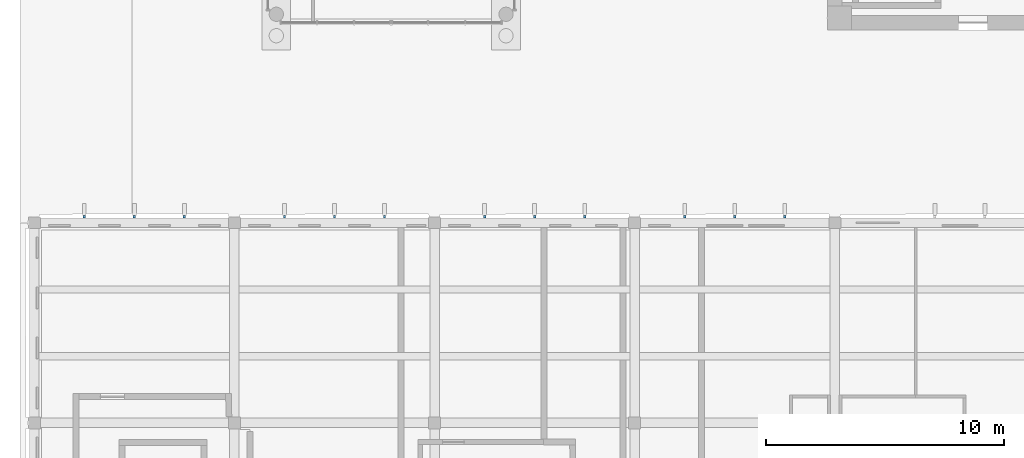
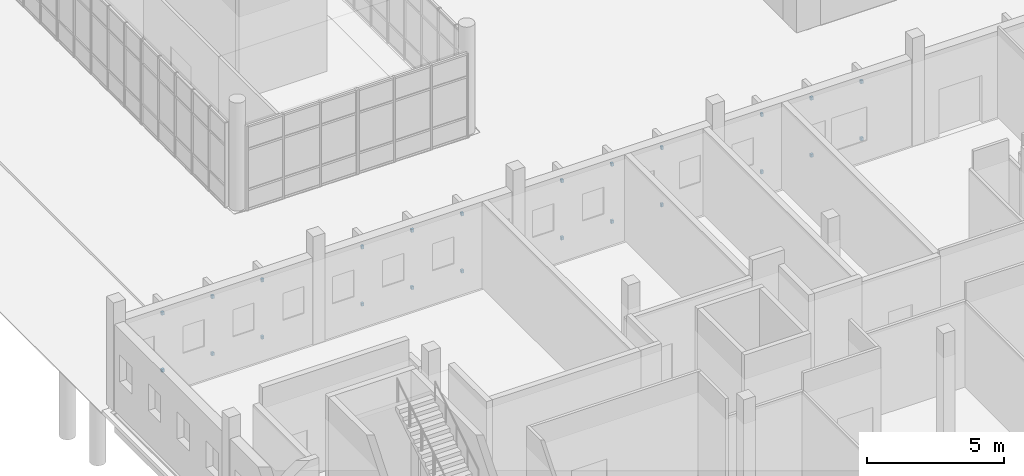
# One storey, part 72 of 110: 24 discrete accessories.
"""IFC4 building model written with IfcOpenShell, lengths in metres."""

from ifc_helpers import new_model, si_unit, direction, frame, origin, origin_2d, place, context, subcontext, project, spatial, rectangle, extrude, material, layer, layer_set, type_object, element, save


model = new_model("IFC4")

# Units and contexts
model_context = context("Model", 3, precision=1e-05, world=origin(), true_north=direction((0.0, 1.0)))
body_context = subcontext(model_context, "Body", "Model", "MODEL_VIEW")
ifc_project = project(units=[si_unit("LENGTHUNIT", "METRE"), si_unit("AREAUNIT", "SQUARE_METRE"), si_unit("VOLUMEUNIT", "CUBIC_METRE"), si_unit("PLANEANGLEUNIT", "RADIAN"), si_unit("MASSUNIT", "GRAM", prefix="KILO")], contexts=[model_context])

# Site, building, storey
site_placement = place(None, origin())
site = spatial("IfcSite", under=ifc_project, at=site_placement, CompositionType="ELEMENT")
building_placement = place(site_placement, origin())
building = spatial("IfcBuilding", under=site, at=building_placement, Name="Larchfold Concert Hall", CompositionType="ELEMENT")
storey_placement = place(building_placement, origin())
storey = spatial("IfcBuildingStorey", under=building, at=storey_placement, Name="L00", CompositionType="ELEMENT", Elevation=0.0)

# Discrete accessories
ifc_material = material(Name="Steel S355 galvanised bracket", Category="steel")
ifc_layer = layer(ifc_material, 0.10009765625)
ifc_layer_set = layer_set([ifc_layer], Name="Steel S355 galvanised bracket")
discrete_accessory_type = type_object("IfcDiscreteAccessoryType", Name="Fin support bracket", PredefinedType="BRACKET", material=ifc_layer_set)
for number, where, z_axis, x_axis, name in (
    (1, (27.89990234375, 26.050048828125, 0.6298828125), (0.0, 0.0, 1.0), (0.0, 1.0, 0.0), "Fin bracket FN-L00-009-1"),
    (2, (27.89990234375, 26.050048828125, 3.169921875), (0.0, 0.0, 1.0), (0.0, 1.0, 0.0), "Fin bracket FN-L00-009-2"),
    (3, (30.0, 26.050048828125, 0.6298828125), (0.0, 0.0, 1.0), (0.0, 1.0, 0.0), "Fin bracket FN-L00-010-1"),
    (4, (30.0, 26.050048828125, 3.169921875), (0.0, 0.0, 1.0), (0.0, 1.0, 0.0), "Fin bracket FN-L00-010-2"),
    (5, (32.10009765625, 26.050048828125, 0.6298828125), (0.0, 0.0, 1.0), (0.0, 1.0, 0.0), "Fin bracket FN-L00-011-1"),
    (6, (32.10009765625, 26.050048828125, 3.169921875), (0.0, 0.0, 1.0), (0.0, 1.0, 0.0), "Fin bracket FN-L00-011-2"),
    (7, (19.5, 26.050048828125, 0.6298828125), (0.0, 0.0, 1.0), (0.0, 1.0, 0.0), "Fin bracket FN-L00-012-1"),
    (8, (19.5, 26.050048828125, 3.169921875), (0.0, 0.0, 1.0), (0.0, 1.0, 0.0), "Fin bracket FN-L00-012-2"),
    (9, (21.60009765625, 26.050048828125, 0.6298828125), (0.0, 0.0, 1.0), (0.0, 1.0, 0.0), "Fin bracket FN-L00-013-1"),
    (10, (21.60009765625, 26.050048828125, 3.169921875), (0.0, 0.0, 1.0), (0.0, 1.0, 0.0), "Fin bracket FN-L00-013-2"),
    (11, (23.699951171875, 26.050048828125, 0.6298828125), (0.0, 0.0, 1.0), (0.0, 1.0, 0.0), "Fin bracket FN-L00-014-1"),
    (12, (23.699951171875, 26.050048828125, 3.169921875), (0.0, 0.0, 1.0), (0.0, 1.0, 0.0), "Fin bracket FN-L00-014-2"),
    (13, (11.10009765625, 26.050048828125, 0.6298828125), (0.0, 0.0, 1.0), (0.0, 1.0, 0.0), "Fin bracket FN-L00-015-1"),
    (14, (11.10009765625, 26.050048828125, 3.169921875), (0.0, 0.0, 1.0), (0.0, 1.0, 0.0), "Fin bracket FN-L00-015-2"),
    (15, (13.199951171875, 26.050048828125, 0.6298828125), (0.0, 0.0, 1.0), (0.0, 1.0, 0.0), "Fin bracket FN-L00-016-1"),
    (16, (13.199951171875, 26.050048828125, 3.169921875), (0.0, 0.0, 1.0), (0.0, 1.0, 0.0), "Fin bracket FN-L00-016-2"),
    (17, (15.300048828125, 26.050048828125, 0.6298828125), (0.0, 0.0, 1.0), (0.0, 1.0, 0.0), "Fin bracket FN-L00-017-1"),
    (18, (15.300048828125, 26.050048828125, 3.169921875), (0.0, 0.0, 1.0), (0.0, 1.0, 0.0), "Fin bracket FN-L00-017-2"),
    (19, (2.699951171875, 26.050048828125, 0.6298828125), (0.0, 0.0, 1.0), (0.0, 1.0, 0.0), "Fin bracket FN-L00-018-1"),
    (20, (2.699951171875, 26.050048828125, 3.169921875), (0.0, 0.0, 1.0), (0.0, 1.0, 0.0), "Fin bracket FN-L00-018-2"),
    (21, (4.800048828125, 26.050048828125, 0.6298828125), (0.0, 0.0, 1.0), (0.0, 1.0, 0.0), "Fin bracket FN-L00-019-1"),
    (22, (4.800048828125, 26.050048828125, 3.169921875), (0.0, 0.0, 1.0), (0.0, 1.0, 0.0), "Fin bracket FN-L00-019-2"),
    (23, (6.89990234375, 26.050048828125, 0.6298828125), (0.0, 0.0, 1.0), (0.0, 1.0, 0.0), "Fin bracket FN-L00-020-1"),
    (24, (6.89990234375, 26.050048828125, 3.169921875), (0.0, 0.0, 1.0), (0.0, 1.0, 0.0), "Fin bracket FN-L00-020-2"),
):
    element("IfcDiscreteAccessory", number, at=place(storey_placement, frame(where, z_axis=z_axis, x_axis=x_axis)), inside=storey, type_object=discrete_accessory_type, Name=name, PredefinedType="BRACKET", context=body_context, shape_type="SweptSolid", body=[
        extrude(rectangle(XDim=0.10009765625, YDim=0.10009765625, at=origin_2d()), origin(), (0.0, 0.0, 1.0), 0.139892578125),
    ])

save(model, "model.ifc")
